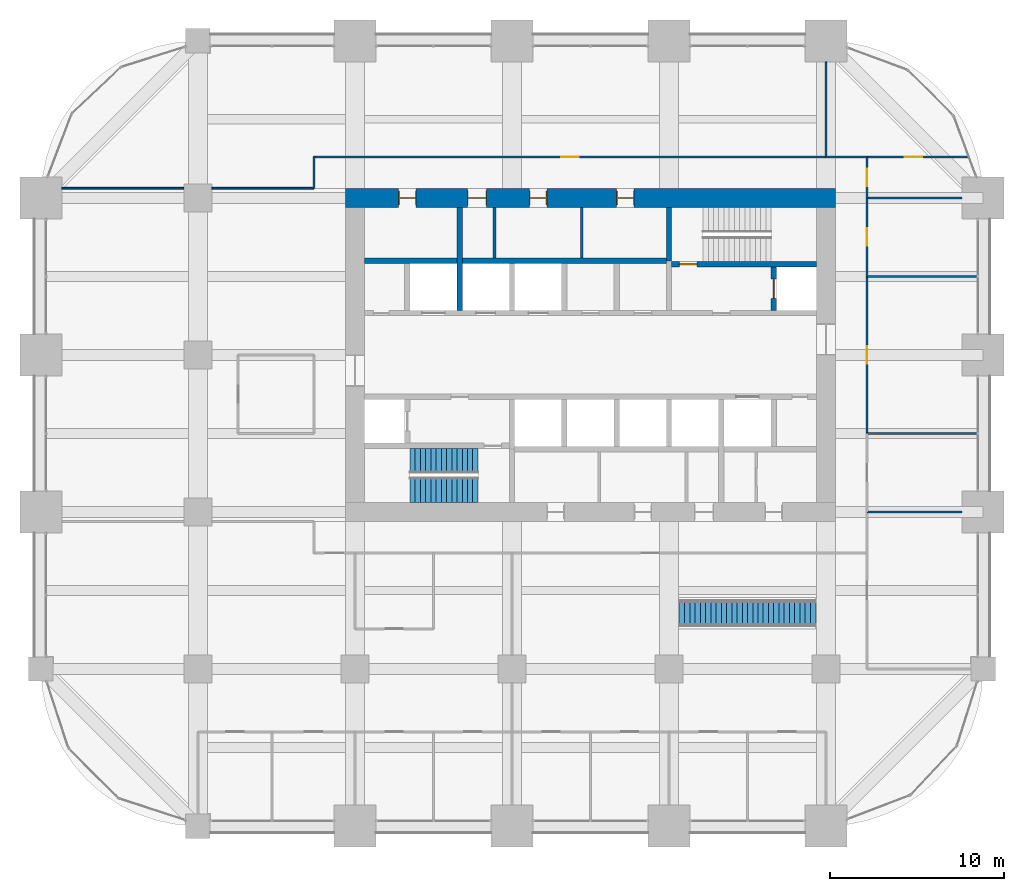
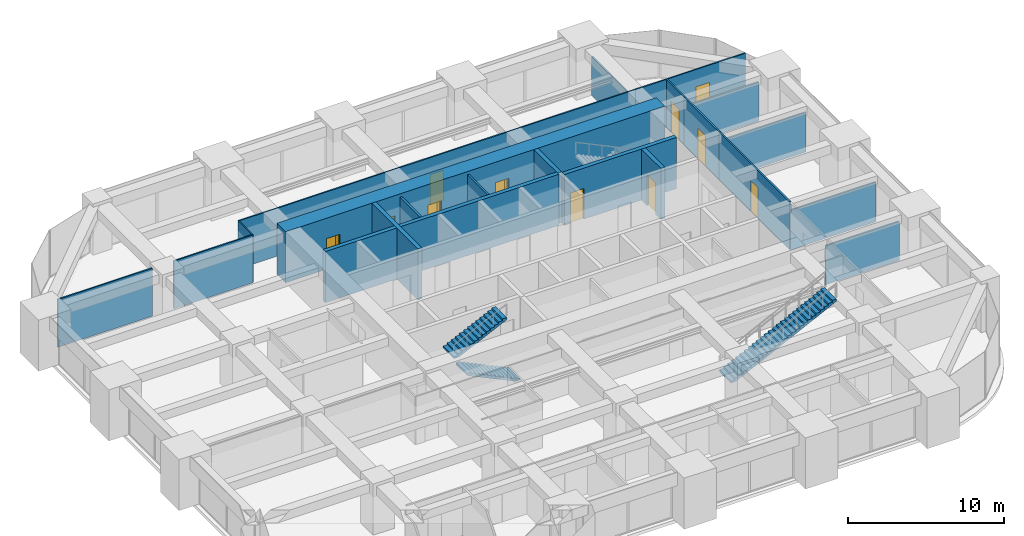
# One storey, part 31 of 34: 22 walls, 11 doors, 3 stair flights, 11 openings, 2 elements without a shape of their own.
"""IFC4 building model written with IfcOpenShell, lengths in metres."""

from ifc_helpers import new_model, si_unit, direction, frame, frame_2d, origin, place, context, subcontext, project, spatial, polyline, rectangle, outline, extrude, material, layer, layer_set, constituent, constituent_set, type_object, element, fill, aggregate, save


model = new_model("IFC4")

# Units and contexts
model_context = context("Model", 3, precision=1e-05, world=origin(), true_north=direction((0.0, 1.0)))
body_context = subcontext(model_context, "Body", "Model", "MODEL_VIEW")
ifc_project = project(units=[si_unit("LENGTHUNIT", "METRE"), si_unit("AREAUNIT", "SQUARE_METRE"), si_unit("VOLUMEUNIT", "CUBIC_METRE"), si_unit("PLANEANGLEUNIT", "RADIAN"), si_unit("MASSUNIT", "GRAM", prefix="KILO")], contexts=[model_context])

# Site, building, storey
site_placement = place(None, origin())
site = spatial("IfcSite", under=ifc_project, at=site_placement, CompositionType="ELEMENT")
building_placement = place(site_placement, origin())
building = spatial("IfcBuilding", under=site, at=building_placement, Name="Zorevar Civic Tower", CompositionType="ELEMENT")
storey_placement = place(building_placement, frame((0.0, 0.0, 174.199951171875)))
storey = spatial("IfcBuildingStorey", under=building, at=storey_placement, Name="L42", CompositionType="ELEMENT", Elevation=174.199951171875)

# Wall, openings, doors
ifc_material_1 = material(Name="Concrete C50/60", Category="concrete")
ifc_layer_1 = layer(ifc_material_1, 1.10009765625)
ifc_layer_set_1 = layer_set([ifc_layer_1], Name="Core wall 1100")
wall_type_1 = type_object("IfcWallType", Name="Core wall 1100", PredefinedType="SHEAR", material=ifc_layer_set_1)
wall_1_placement = place(storey_placement, frame((45.550048828125, 36.0, 0.0), z_axis=(0.0, 0.0, 1.0), x_axis=(-1.0, 0.0, 0.0)))
wall_1 = element("IfcWall", 1, at=wall_1_placement, inside=storey, type_object=wall_type_1, Name="Core wall N L42", PredefinedType="SHEAR", context=body_context, shape_type="SweptSolid", body=[
    extrude(rectangle(XDim=28.10009765625, YDim=1.10009765625, at=frame_2d((14.050048828125, 0.0))), origin(), (0.0, 0.0, 1.0), 4.0),
])
opening_1_placement = place(wall_1_placement, frame((11.550048828125, 0.0, 0.0)))
opening_1 = element("IfcOpeningElement", 2, at=opening_1_placement, cuts=wall_1, Name="Opening L42.07", PredefinedType="OPENING", context=body_context, shape_type="SweptSolid", body=[
    extrude(rectangle(XDim=1.0, YDim=2.39990234375, at=frame_2d((0.5, 1.199951171875))), frame((0.0, 0.56005859375, 0.0), z_axis=(0.0, -1.0, 0.0), x_axis=(1.0, 0.0, 0.0)), (0.0, 0.0, 1.0), 1.1201171875),
])
opening_2_placement = place(wall_1_placement, frame((16.550048828125, 0.0, 0.0)))
opening_2 = element("IfcOpeningElement", 3, at=opening_2_placement, cuts=wall_1, Name="Opening L42.08", PredefinedType="OPENING", context=body_context, shape_type="SweptSolid", body=[
    extrude(rectangle(XDim=1.0, YDim=2.39990234375, at=frame_2d((0.5, 1.199951171875))), frame((0.0, 0.56005859375, 0.0), z_axis=(0.0, -1.0, 0.0), x_axis=(1.0, 0.0, 0.0)), (0.0, 0.0, 1.0), 1.1201171875),
])
opening_3_placement = place(wall_1_placement, frame((20.0, 0.0, 0.0)))
opening_3 = element("IfcOpeningElement", 4, at=opening_3_placement, cuts=wall_1, Name="Opening L42.09", PredefinedType="OPENING", context=body_context, shape_type="SweptSolid", body=[
    extrude(rectangle(XDim=1.10009765625, YDim=2.39990234375, at=frame_2d((0.550048828125, 1.199951171875))), frame((0.0, 0.56005859375, 0.0), z_axis=(0.0, -1.0, 0.0), x_axis=(1.0, 0.0, 0.0)), (0.0, 0.0, 1.0), 1.1201171875),
])
opening_4_placement = place(wall_1_placement, frame((24.050048828125, 0.0, 0.0)))
opening_4 = element("IfcOpeningElement", 5, at=opening_4_placement, cuts=wall_1, Name="Opening L42.10", PredefinedType="OPENING", context=body_context, shape_type="SweptSolid", body=[
    extrude(rectangle(XDim=1.0, YDim=2.39990234375, at=frame_2d((0.5, 1.199951171875))), frame((0.0, 0.56005859375, 0.0), z_axis=(0.0, -1.0, 0.0), x_axis=(1.0, 0.0, 0.0)), (0.0, 0.0, 1.0), 1.1201171875),
])
ifc_material_2 = material(Name="Timber door set", Category="wood")
door_type_1 = type_object("IfcDoorType", Name="Door D1 1000x2400", OperationType="SINGLE_SWING_LEFT", PredefinedType="DOOR", material=ifc_material_2)
door_1_placement = place(opening_1_placement, origin())
door_1 = element("IfcDoor", 6, at=door_1_placement, inside=storey, type_object=door_type_1, Name="Door L42 06", OperationType="SINGLE_SWING_RIGHT", OverallHeight=2.39990234375, OverallWidth=1.0, PredefinedType="DOOR", context=body_context, shape_type="SweptSolid", body=[
    extrude(rectangle(XDim=1.0, YDim=2.39990234375, at=frame_2d((0.5, 1.199951171875))), frame((0.0, 0.02490234375, 0.0), z_axis=(0.0, -1.0, 0.0), x_axis=(1.0, 0.0, 0.0)), (0.0, 0.0, 1.0), 0.050048828125),
    extrude(rectangle(XDim=0.04, YDim=2.39990234375, at=frame_2d((0.02001953125, 1.199951171875))), frame((0.0, 0.39990234375, 0.0), z_axis=(0.0, -1.0, 0.0), x_axis=(1.0, 0.0, 0.0)), (0.0, 0.0, 1.0), 0.800048828125),
    extrude(rectangle(XDim=0.04, YDim=2.39990234375, at=frame_2d((0.97998046875, 1.199951171875))), frame((0.0, 0.39990234375, 0.0), z_axis=(0.0, -1.0, 0.0), x_axis=(1.0, 0.0, 0.0)), (0.0, 0.0, 1.0), 0.800048828125),
    extrude(rectangle(XDim=1.0, YDim=0.04, at=frame_2d((0.5, 2.3798828125))), frame((0.0, 0.39990234375, 0.0), z_axis=(0.0, -1.0, 0.0), x_axis=(1.0, 0.0, 0.0)), (0.0, 0.0, 1.0), 0.800048828125),
])
fill(opening_1, door_1)
door_2_placement = place(opening_2_placement, origin())
door_2 = element("IfcDoor", 7, at=door_2_placement, inside=storey, type_object=door_type_1, Name="Door L42 07", OperationType="SINGLE_SWING_LEFT", OverallHeight=2.39990234375, OverallWidth=1.0, PredefinedType="DOOR", context=body_context, shape_type="SweptSolid", body=[
    extrude(rectangle(XDim=1.0, YDim=2.39990234375, at=frame_2d((0.5, 1.199951171875))), frame((0.0, 0.02490234375, 0.0), z_axis=(0.0, -1.0, 0.0), x_axis=(1.0, 0.0, 0.0)), (0.0, 0.0, 1.0), 0.050048828125),
    extrude(rectangle(XDim=0.04, YDim=2.39990234375, at=frame_2d((0.02001953125, 1.199951171875))), frame((0.0, 0.39990234375, 0.0), z_axis=(0.0, -1.0, 0.0), x_axis=(1.0, 0.0, 0.0)), (0.0, 0.0, 1.0), 0.800048828125),
    extrude(rectangle(XDim=0.04, YDim=2.39990234375, at=frame_2d((0.97998046875, 1.199951171875))), frame((0.0, 0.39990234375, 0.0), z_axis=(0.0, -1.0, 0.0), x_axis=(1.0, 0.0, 0.0)), (0.0, 0.0, 1.0), 0.800048828125),
    extrude(rectangle(XDim=1.0, YDim=0.04, at=frame_2d((0.5, 2.3798828125))), frame((0.0, 0.39990234375, 0.0), z_axis=(0.0, -1.0, 0.0), x_axis=(1.0, 0.0, 0.0)), (0.0, 0.0, 1.0), 0.800048828125),
])
fill(opening_2, door_2)
door_3_placement = place(opening_4_placement, origin())
door_3 = element("IfcDoor", 8, at=door_3_placement, inside=storey, type_object=door_type_1, Name="Door L42 09", OperationType="SINGLE_SWING_LEFT", OverallHeight=2.39990234375, OverallWidth=1.0, PredefinedType="DOOR", context=body_context, shape_type="SweptSolid", body=[
    extrude(rectangle(XDim=1.0, YDim=2.39990234375, at=frame_2d((0.5, 1.199951171875))), frame((0.0, 0.02490234375, 0.0), z_axis=(0.0, -1.0, 0.0), x_axis=(1.0, 0.0, 0.0)), (0.0, 0.0, 1.0), 0.050048828125),
    extrude(rectangle(XDim=0.04, YDim=2.39990234375, at=frame_2d((0.02001953125, 1.199951171875))), frame((0.0, 0.39990234375, 0.0), z_axis=(0.0, -1.0, 0.0), x_axis=(1.0, 0.0, 0.0)), (0.0, 0.0, 1.0), 0.800048828125),
    extrude(rectangle(XDim=0.04, YDim=2.39990234375, at=frame_2d((0.97998046875, 1.199951171875))), frame((0.0, 0.39990234375, 0.0), z_axis=(0.0, -1.0, 0.0), x_axis=(1.0, 0.0, 0.0)), (0.0, 0.0, 1.0), 0.800048828125),
    extrude(rectangle(XDim=1.0, YDim=0.04, at=frame_2d((0.5, 2.3798828125))), frame((0.0, 0.39990234375, 0.0), z_axis=(0.0, -1.0, 0.0), x_axis=(1.0, 0.0, 0.0)), (0.0, 0.0, 1.0), 0.800048828125),
])
fill(opening_4, door_3)
ifc_material_3 = material(Name="Timber door set", Category="wood")
door_type_2 = type_object("IfcDoorType", Name="Door D5 1100x2400", OperationType="SINGLE_SWING_LEFT", PredefinedType="DOOR", material=ifc_material_3)
door_4_placement = place(opening_3_placement, origin())
door_4 = element("IfcDoor", 9, at=door_4_placement, inside=storey, type_object=door_type_2, Name="Door L42 08", OperationType="SINGLE_SWING_LEFT", OverallHeight=2.39990234375, OverallWidth=1.10009765625, PredefinedType="DOOR", context=body_context, shape_type="SweptSolid", body=[
    extrude(rectangle(XDim=1.10009765625, YDim=2.39990234375, at=frame_2d((0.550048828125, 1.199951171875))), frame((0.0, 0.02490234375, 0.0), z_axis=(0.0, -1.0, 0.0), x_axis=(1.0, 0.0, 0.0)), (0.0, 0.0, 1.0), 0.050048828125),
    extrude(rectangle(XDim=0.04, YDim=2.39990234375, at=frame_2d((0.02001953125, 1.199951171875))), frame((0.0, 0.43994140625, 0.0), z_axis=(0.0, -1.0, 0.0), x_axis=(1.0, 0.0, 0.0)), (0.0, 0.0, 1.0), 0.880126953125),
    extrude(rectangle(XDim=0.04, YDim=2.39990234375, at=frame_2d((1.080078125, 1.199951171875))), frame((0.0, 0.43994140625, 0.0), z_axis=(0.0, -1.0, 0.0), x_axis=(1.0, 0.0, 0.0)), (0.0, 0.0, 1.0), 0.880126953125),
    extrude(rectangle(XDim=1.10009765625, YDim=0.04, at=frame_2d((0.550048828125, 2.3798828125))), frame((0.0, 0.43994140625, 0.0), z_axis=(0.0, -1.0, 0.0), x_axis=(1.0, 0.0, 0.0)), (0.0, 0.0, 1.0), 0.880126953125),
])
fill(opening_3, door_4)

# Walls
ifc_material_4 = material(Name="Laminated glass in black aluminium frame", Category="aluminium")
ifc_layer_2 = layer(ifc_material_4, 0.10009765625)
ifc_layer_set_2 = layer_set([ifc_layer_2], Name="Glazed partition 100")
wall_type_2 = type_object("IfcWallType", Name="Glazed partition 100", PredefinedType="PARTITIONING", material=ifc_layer_set_2)
wall_2_placement = place(storey_placement, frame((1.199951171875, 36.550048828125, 0.0), z_axis=(0.0, 0.0, 1.0), x_axis=(1.0, 0.0, 0.0)))
element("IfcWall", 10, at=wall_2_placement, inside=storey, type_object=wall_type_2, Name="Glazed partition 100 L42", PredefinedType="PARTITIONING", context=body_context, shape_type="SweptSolid", body=[
    extrude(rectangle(XDim=7.0, YDim=0.10009765625, at=frame_2d((3.5, 0.0))), origin(), (0.0, 0.0, 1.0), 3.75),
])
wall_3_placement = place(storey_placement, frame((9.800048828125, 36.550048828125, 0.0), z_axis=(0.0, 0.0, 1.0), x_axis=(1.0, 0.0, 0.0)))
element("IfcWall", 11, at=wall_3_placement, inside=storey, type_object=wall_type_2, Name="Glazed partition 100 L42", PredefinedType="PARTITIONING", context=body_context, shape_type="SweptSolid", body=[
    extrude(rectangle(XDim=5.849853515625, YDim=0.10009765625, at=frame_2d((2.9248046875, 0.0))), origin(), (0.0, 0.0, 1.0), 3.75),
])

# Wall, opening, door
wall_4_placement = place(storey_placement, frame((15.64990234375, 38.35009765625, 0.0), z_axis=(0.0, 0.0, 1.0), x_axis=(1.0, 0.0, 0.0)))
wall_4 = element("IfcWall", 12, at=wall_4_placement, inside=storey, type_object=wall_type_2, Name="Glazed partition 100 L42", PredefinedType="PARTITIONING", context=body_context, shape_type="SweptSolid", body=[
    extrude(rectangle(XDim=29.35009765625, YDim=0.10009765625, at=frame_2d((14.675048828125, 0.0))), origin(), (0.0, 0.0, 1.0), 3.75),
])
opening_5_placement = place(wall_4_placement, frame((14.175048828125, 0.0, 0.0)))
opening_5 = element("IfcOpeningElement", 13, at=opening_5_placement, cuts=wall_4, Name="Opening L42.28", PredefinedType="OPENING", context=body_context, shape_type="SweptSolid", body=[
    extrude(rectangle(XDim=1.0, YDim=2.39990234375, at=frame_2d((0.5, 1.199951171875))), frame((0.0, 0.06005859375, 0.0), z_axis=(0.0, -1.0, 0.0), x_axis=(1.0, 0.0, 0.0)), (0.0, 0.0, 1.0), 0.1201171875),
])
ifc_material_5 = material(Name="Timber door set", Category="wood")
door_type_3 = type_object("IfcDoorType", Name="Glazed door GD1 1000x2400", OperationType="SINGLE_SWING_LEFT", PredefinedType="DOOR", material=ifc_material_5)
door_5_placement = place(opening_5_placement, origin())
door_5 = element("IfcDoor", 14, at=door_5_placement, inside=storey, type_object=door_type_3, Name="Door L42 D1", OperationType="SINGLE_SWING_LEFT", OverallHeight=2.39990234375, OverallWidth=1.0, PredefinedType="DOOR", context=body_context, shape_type="SweptSolid", body=[
    extrude(rectangle(XDim=1.0, YDim=2.39990234375, at=frame_2d((0.5, 1.199951171875))), frame((0.0, 0.02001953125, 0.0), z_axis=(0.0, -1.0, 0.0), x_axis=(1.0, 0.0, 0.0)), (0.0, 0.0, 1.0), 0.0400390625),
])
fill(opening_5, door_5)

# Wall
wall_5_placement = place(storey_placement, frame((45.0, 38.35009765625, 0.0), z_axis=(0.0, 0.0, 1.0), x_axis=(1.0, 0.0, 0.0)))
element("IfcWall", 15, at=wall_5_placement, inside=storey, type_object=wall_type_2, Name="Glazed partition 100 L42", PredefinedType="PARTITIONING", context=body_context, shape_type="SweptSolid", body=[
    extrude(rectangle(XDim=2.35009765625, YDim=0.10009765625, at=frame_2d((1.175048828125, 0.0))), origin(), (0.0, 0.0, 1.0), 3.75),
])

# Wall, opening, door
wall_6_placement = place(storey_placement, frame((47.35009765625, 38.35009765625, 0.0), z_axis=(0.0, 0.0, 1.0), x_axis=(1.0, 0.0, 0.0)))
wall_6 = element("IfcWall", 16, at=wall_6_placement, inside=storey, type_object=wall_type_2, Name="Glazed partition 100 L42", PredefinedType="PARTITIONING", context=body_context, shape_type="SweptSolid", body=[
    extrude(rectangle(XDim=5.80615234375, YDim=0.10009765625, at=frame_2d((2.903076171875, 0.0))), origin(), (0.0, 0.0, 1.0), 3.75),
])
opening_6_placement = place(wall_6_placement, frame((2.14990234375, 0.0, 0.0)))
opening_6 = element("IfcOpeningElement", 17, at=opening_6_placement, cuts=wall_6, Name="Opening L42.29", PredefinedType="OPENING", context=body_context, shape_type="SweptSolid", body=[
    extrude(rectangle(XDim=1.0, YDim=2.39990234375, at=frame_2d((0.5, 1.199951171875))), frame((0.0, 0.06005859375, 0.0), z_axis=(0.0, -1.0, 0.0), x_axis=(1.0, 0.0, 0.0)), (0.0, 0.0, 1.0), 0.1201171875),
])
door_6_placement = place(opening_6_placement, origin())
door_6 = element("IfcDoor", 18, at=door_6_placement, inside=storey, type_object=door_type_3, Name="Door L42 D1", OperationType="SINGLE_SWING_RIGHT", OverallHeight=2.39990234375, OverallWidth=1.0, PredefinedType="DOOR", context=body_context, shape_type="SweptSolid", body=[
    extrude(rectangle(XDim=1.0, YDim=2.39990234375, at=frame_2d((0.5, 1.199951171875))), frame((0.0, 0.02001953125, 0.0), z_axis=(0.0, -1.0, 0.0), x_axis=(1.0, 0.0, 0.0)), (0.0, 0.0, 1.0), 0.0400390625),
])
fill(opening_6, door_6)

# Walls
wall_7_placement = place(storey_placement, frame((15.64990234375, 36.550048828125, 0.0), z_axis=(0.0, 0.0, 1.0), x_axis=(0.0, 1.0, 0.0)))
element("IfcWall", 19, at=wall_7_placement, inside=storey, type_object=wall_type_2, Name="Glazed partition 100 L42", PredefinedType="PARTITIONING", context=body_context, shape_type="SweptSolid", body=[
    extrude(rectangle(XDim=1.800048828125, YDim=0.10009765625, at=frame_2d((0.89990234375, 0.0))), origin(), (0.0, 0.0, 1.0), 3.75),
])
wall_8_placement = place(storey_placement, frame((45.0, 38.35009765625, 0.0), z_axis=(0.0, 0.0, 1.0), x_axis=(0.0, 1.0, 0.0)))
element("IfcWall", 20, at=wall_8_placement, inside=storey, type_object=wall_type_2, Name="Glazed partition 100 L42", PredefinedType="PARTITIONING", context=body_context, shape_type="SweptSolid", body=[
    extrude(rectangle(XDim=5.449951171875, YDim=0.10009765625, at=frame_2d((2.72509765625, 0.0))), origin(), (0.0, 0.0, 1.0), 3.050048828125),
])

# Wall, opening, door
wall_9_placement = place(storey_placement, frame((47.35009765625, 36.0, 0.0), z_axis=(0.0, 0.0, 1.0), x_axis=(0.0, 1.0, 0.0)))
wall_9 = element("IfcWall", 21, at=wall_9_placement, inside=storey, type_object=wall_type_2, Name="Glazed partition 100 L42", PredefinedType="PARTITIONING", context=body_context, shape_type="SweptSolid", body=[
    extrude(rectangle(XDim=2.35009765625, YDim=0.10009765625, at=frame_2d((1.175048828125, 0.0))), origin(), (0.0, 0.0, 1.0), 3.75),
])
opening_7_placement = place(wall_9_placement, frame((0.675048828125, 0.0, 0.0)))
opening_7 = element("IfcOpeningElement", 22, at=opening_7_placement, cuts=wall_9, Name="Opening L42.35", PredefinedType="OPENING", context=body_context, shape_type="SweptSolid", body=[
    extrude(rectangle(XDim=1.0, YDim=2.39990234375, at=frame_2d((0.5, 1.199951171875))), frame((0.0, 0.06005859375, 0.0), z_axis=(0.0, -1.0, 0.0), x_axis=(1.0, 0.0, 0.0)), (0.0, 0.0, 1.0), 0.1201171875),
])
door_7_placement = place(opening_7_placement, origin())
door_7 = element("IfcDoor", 23, at=door_7_placement, inside=storey, type_object=door_type_3, Name="Door L42 D1", OperationType="SINGLE_SWING_RIGHT", OverallHeight=2.39990234375, OverallWidth=1.0, PredefinedType="DOOR", context=body_context, shape_type="SweptSolid", body=[
    extrude(rectangle(XDim=1.0, YDim=2.39990234375, at=frame_2d((0.5, 1.199951171875))), frame((0.0, 0.02001953125, 0.0), z_axis=(0.0, -1.0, 0.0), x_axis=(1.0, 0.0, 0.0)), (0.0, 0.0, 1.0), 0.0400390625),
])
fill(opening_7, door_7)

ifc_material_6 = material(Name="Concrete C40/50", Category="concrete")
ifc_layer_3 = layer(ifc_material_6, 0.300048828125)
ifc_layer_set_3 = layer_set([ifc_layer_3], Name="Inner core wall 300")
wall_type_3 = type_object("IfcWallType", Name="Inner core wall 300", PredefinedType="SHEAR", material=ifc_layer_set_3)
wall_10_placement = place(storey_placement, frame((36.14990234375, 32.199951171875, 0.0), z_axis=(0.0, 0.0, 1.0), x_axis=(1.0, 0.0, 0.0)))
wall_10 = element("IfcWall", 24, at=wall_10_placement, inside=storey, type_object=wall_type_3, Name="Inner core wall N00 L42", PredefinedType="SHEAR", context=body_context, shape_type="SweptSolid", body=[
    extrude(rectangle(XDim=8.300048828125, YDim=0.300048828125, at=frame_2d((4.14990234375, 0.0))), origin(), (0.0, 0.0, 1.0), 4.0),
])
opening_8_placement = place(wall_10_placement, frame((0.449951171875, 0.0, 0.0)))
opening_8 = element("IfcOpeningElement", 25, at=opening_8_placement, cuts=wall_10, Name="Opening L42.12", PredefinedType="OPENING", context=body_context, shape_type="SweptSolid", body=[
    extrude(rectangle(XDim=1.0, YDim=2.39990234375, at=frame_2d((0.5, 1.199951171875))), frame((0.0, 0.159912109375, 0.0), z_axis=(0.0, -1.0, 0.0), x_axis=(1.0, 0.0, 0.0)), (0.0, 0.0, 1.0), 0.320068359375),
])
ifc_material_7 = material(Name="Steel door set", Category="steel")
door_type_4 = type_object("IfcDoorType", Name="Fire door FD1 1000x2400", OperationType="SINGLE_SWING_LEFT", PredefinedType="DOOR", material=ifc_material_7)
door_8_placement = place(opening_8_placement, origin())
door_8 = element("IfcDoor", 26, at=door_8_placement, inside=storey, type_object=door_type_4, Name="Door L42 11", OperationType="SINGLE_SWING_RIGHT", OverallHeight=2.39990234375, OverallWidth=1.0, PredefinedType="DOOR", context=body_context, shape_type="SweptSolid", body=[
    extrude(rectangle(XDim=1.0, YDim=2.39990234375, at=frame_2d((0.5, 1.199951171875))), frame((0.0, 0.030029296875, 0.0), z_axis=(0.0, -1.0, 0.0), x_axis=(1.0, 0.0, 0.0)), (0.0, 0.0, 1.0), 0.06005859375),
])
fill(opening_8, door_8)

# Wall
wall_11_placement = place(storey_placement, frame((36.0, 32.39990234375, 0.0), z_axis=(0.0, 0.0, 1.0), x_axis=(0.0, 1.0, 0.0)))
element("IfcWall", 27, at=wall_11_placement, inside=storey, type_object=wall_type_3, Name="Inner core wall N01 L42", PredefinedType="SHEAR", context=body_context, shape_type="SweptSolid", body=[
    extrude(rectangle(XDim=3.050048828125, YDim=0.300048828125, at=frame_2d((1.52490234375, 0.0))), origin(), (0.0, 0.0, 1.0), 4.0),
])

# Wall, opening, door
wall_12_placement = place(storey_placement, frame((42.0, 29.550048828125, 0.0), z_axis=(0.0, 0.0, 1.0), x_axis=(0.0, 1.0, 0.0)))
wall_12 = element("IfcWall", 28, at=wall_12_placement, inside=storey, type_object=wall_type_3, Name="Inner core wall N02 L42", PredefinedType="SHEAR", context=body_context, shape_type="SweptSolid", body=[
    extrude(rectangle(XDim=2.5, YDim=0.300048828125, at=frame_2d((1.25, 0.0))), origin(), (0.0, 0.0, 1.0), 4.0),
])
opening_9_placement = place(wall_12_placement, frame((0.699951171875, 0.0, 0.0)))
opening_9 = element("IfcOpeningElement", 29, at=opening_9_placement, cuts=wall_12, Name="Opening L42.FL2", PredefinedType="OPENING", context=body_context, shape_type="SweptSolid", body=[
    extrude(rectangle(XDim=1.10009765625, YDim=2.39990234375, at=frame_2d((0.550048828125, 1.199951171875))), frame((0.0, 0.159912109375, 0.0), z_axis=(0.0, -1.0, 0.0), x_axis=(1.0, 0.0, 0.0)), (0.0, 0.0, 1.0), 0.320068359375),
])
ifc_material_8 = material(Name="Steel door set", Category="steel")
door_type_5 = type_object("IfcDoorType", Name="Firefighting lift landing door LD3 1100x2400", OperationType="DOUBLE_DOOR_SLIDING", PredefinedType="DOOR", material=ifc_material_8)
door_9_placement = place(opening_9_placement, origin())
door_9 = element("IfcDoor", 30, at=door_9_placement, inside=storey, type_object=door_type_5, Name="Landing door FL2 L42", OperationType="DOUBLE_DOOR_SLIDING", OverallHeight=2.39990234375, OverallWidth=1.10009765625, PredefinedType="DOOR", context=body_context, shape_type="SweptSolid", body=[
    extrude(rectangle(XDim=1.10009765625, YDim=2.39990234375, at=frame_2d((0.550048828125, 1.199951171875))), frame((0.0, 0.030029296875, 0.0), z_axis=(0.0, -1.0, 0.0), x_axis=(1.0, 0.0, 0.0)), (0.0, 0.0, 1.0), 0.06005859375),
])
fill(opening_9, door_9)

# Walls
wall_13_placement = place(storey_placement, frame((18.550048828125, 32.39990234375, 0.0), z_axis=(0.0, 0.0, 1.0), x_axis=(1.0, 0.0, 0.0)))
element("IfcWall", 31, at=wall_13_placement, inside=storey, type_object=wall_type_3, Name="Inner core wall N04 L42", PredefinedType="SHEAR", context=body_context, shape_type="SweptSolid", body=[
    extrude(rectangle(XDim=17.300048828125, YDim=0.300048828125, at=frame_2d((8.64990234375, 0.0))), origin(), (0.0, 0.0, 1.0), 4.0),
])
wall_14_placement = place(storey_placement, frame((24.0, 29.550048828125, 0.0), z_axis=(0.0, 0.0, 1.0), x_axis=(0.0, 1.0, 0.0)))
element("IfcWall", 32, at=wall_14_placement, inside=storey, type_object=wall_type_3, Name="Inner core wall N08 L42", PredefinedType="SHEAR", context=body_context, shape_type="SweptSolid", body=[
    extrude(rectangle(XDim=5.89990234375, YDim=0.300048828125, at=frame_2d((2.949951171875, 0.0))), origin(), (0.0, 0.0, 1.0), 4.0),
])
ifc_material_9 = material(Name="Gypsum board on steel studs", Category="steel")
ifc_layer_4 = layer(ifc_material_9, 0.1201171875)
ifc_layer_set_4 = layer_set([ifc_layer_4], Name="Partition 120")
wall_type_4 = type_object("IfcWallType", Name="Partition 120", PredefinedType="PARTITIONING", material=ifc_layer_set_4)
wall_15_placement = place(storey_placement, frame((47.35009765625, 18.0, 0.0), z_axis=(0.0, 0.0, 1.0), x_axis=(1.0, 0.0, 0.0)))
element("IfcWall", 33, at=wall_15_placement, inside=storey, type_object=wall_type_4, Name="Partition 120 L42", PredefinedType="PARTITIONING", context=body_context, shape_type="SweptSolid", body=[
    extrude(rectangle(XDim=5.449951171875, YDim=0.1201171875, at=frame_2d((2.72509765625, 0.0))), origin(), (0.0, 0.0, 1.0), 3.050048828125),
])
for number, where, z_axis, x_axis, name in (
    (34, (47.35009765625, 22.5, 0.0), (0.0, 0.0, 1.0), (1.0, 0.0, 0.0), "Partition 120 L42"),
    (35, (47.35009765625, 31.5, 0.0), (0.0, 0.0, 1.0), (1.0, 0.0, 0.0), "Partition 120 L42"),
):
    element("IfcWall", number, at=place(storey_placement, frame(where, z_axis=z_axis, x_axis=x_axis)), inside=storey, type_object=wall_type_4, Name=name, PredefinedType="PARTITIONING", context=body_context, shape_type="SweptSolid", body=[
        extrude(rectangle(XDim=6.33984375, YDim=0.1201171875, at=frame_2d((3.169921875, 0.0))), origin(), (0.0, 0.0, 1.0), 3.10009765625),
    ])
wall_16_placement = place(storey_placement, frame((47.35009765625, 36.0, 0.0), z_axis=(0.0, 0.0, 1.0), x_axis=(1.0, 0.0, 0.0)))
element("IfcWall", 36, at=wall_16_placement, inside=storey, type_object=wall_type_4, Name="Partition 120 L42", PredefinedType="PARTITIONING", context=body_context, shape_type="SweptSolid", body=[
    extrude(rectangle(XDim=5.449951171875, YDim=0.1201171875, at=frame_2d((2.72509765625, 0.0))), origin(), (0.0, 0.0, 1.0), 3.050048828125),
])

# Wall, opening, door
wall_17_placement = place(storey_placement, frame((47.35009765625, 22.5, 0.0), z_axis=(0.0, 0.0, 1.0), x_axis=(0.0, 1.0, 0.0)))
wall_17 = element("IfcWall", 37, at=wall_17_placement, inside=storey, type_object=wall_type_4, Name="Partition 120 L42", PredefinedType="PARTITIONING", context=body_context, shape_type="SweptSolid", body=[
    extrude(rectangle(XDim=9.0, YDim=0.1201171875, at=frame_2d((4.5, 0.0))), origin(), (0.0, 0.0, 1.0), 3.75),
])
opening_10_placement = place(wall_17_placement, frame((4.0, 0.0, 0.0)))
opening_10 = element("IfcOpeningElement", 38, at=opening_10_placement, cuts=wall_17, Name="Opening L42.33", PredefinedType="OPENING", context=body_context, shape_type="SweptSolid", body=[
    extrude(rectangle(XDim=1.0, YDim=2.39990234375, at=frame_2d((0.5, 1.199951171875))), frame((0.0, 0.070068359375, 0.0), z_axis=(0.0, -1.0, 0.0), x_axis=(1.0, 0.0, 0.0)), (0.0, 0.0, 1.0), 0.14013671875),
])
door_10_placement = place(opening_10_placement, origin())
door_10 = element("IfcDoor", 39, at=door_10_placement, inside=storey, type_object=door_type_1, Name="Door L42 D1", OperationType="SINGLE_SWING_RIGHT", OverallHeight=2.39990234375, OverallWidth=1.0, PredefinedType="DOOR", context=body_context, shape_type="SweptSolid", body=[
    extrude(rectangle(XDim=1.0, YDim=2.39990234375, at=frame_2d((0.5, 1.199951171875))), frame((0.0, 0.02490234375, 0.0), z_axis=(0.0, -1.0, 0.0), x_axis=(1.0, 0.0, 0.0)), (0.0, 0.0, 1.0), 0.050048828125),
])
fill(opening_10, door_10)

wall_18_placement = place(storey_placement, frame((47.35009765625, 31.5, 0.0), z_axis=(0.0, 0.0, 1.0), x_axis=(0.0, 1.0, 0.0)))
wall_18 = element("IfcWall", 40, at=wall_18_placement, inside=storey, type_object=wall_type_4, Name="Partition 120 L42", PredefinedType="PARTITIONING", context=body_context, shape_type="SweptSolid", body=[
    extrude(rectangle(XDim=4.5, YDim=0.1201171875, at=frame_2d((2.25, 0.0))), origin(), (0.0, 0.0, 1.0), 3.75),
])
opening_11_placement = place(wall_18_placement, frame((1.75, 0.0, 0.0)))
opening_11 = element("IfcOpeningElement", 41, at=opening_11_placement, cuts=wall_18, Name="Opening L42.34", PredefinedType="OPENING", context=body_context, shape_type="SweptSolid", body=[
    extrude(rectangle(XDim=1.0, YDim=2.39990234375, at=frame_2d((0.5, 1.199951171875))), frame((0.0, 0.070068359375, 0.0), z_axis=(0.0, -1.0, 0.0), x_axis=(1.0, 0.0, 0.0)), (0.0, 0.0, 1.0), 0.14013671875),
])
door_11_placement = place(opening_11_placement, origin())
door_11 = element("IfcDoor", 42, at=door_11_placement, inside=storey, type_object=door_type_1, Name="Door L42 D1", OperationType="SINGLE_SWING_LEFT", OverallHeight=2.39990234375, OverallWidth=1.0, PredefinedType="DOOR", context=body_context, shape_type="SweptSolid", body=[
    extrude(rectangle(XDim=1.0, YDim=2.39990234375, at=frame_2d((0.5, 1.199951171875))), frame((0.0, 0.02490234375, 0.0), z_axis=(0.0, -1.0, 0.0), x_axis=(1.0, 0.0, 0.0)), (0.0, 0.0, 1.0), 0.050048828125),
])
fill(opening_11, door_11)

# Walls
ifc_material_10 = material(Name="Gypsum board on steel studs, moisture resistant", Category="steel")
ifc_layer_5 = layer(ifc_material_10, 0.14990234375)
ifc_layer_set_5 = layer_set([ifc_layer_5], Name="WC partition 150")
wall_type_5 = type_object("IfcWallType", Name="WC partition 150", PredefinedType="PARTITIONING", material=ifc_layer_set_5)
for number, where, z_axis, x_axis, name in (
    (43, (31.0, 32.550048828125, 0.0), (0.0, 0.0, 1.0), (0.0, 1.0, 0.0), "WC partition L42"),
    (44, (26.0, 32.550048828125, 0.0), (0.0, 0.0, 1.0), (0.0, 1.0, 0.0), "WC partition L42"),
):
    element("IfcWall", number, at=place(storey_placement, frame(where, z_axis=z_axis, x_axis=x_axis)), inside=storey, type_object=wall_type_5, Name=name, PredefinedType="PARTITIONING", context=body_context, shape_type="SweptSolid", body=[
        extrude(rectangle(XDim=2.89990234375, YDim=0.14990234375, at=frame_2d((1.449951171875, 0.0))), origin(), (0.0, 0.0, 1.0), 3.75),
    ])

# Stair, stair flight
ifc_material_11 = material(Name="Steel S355", Category="steel")
ifc_constituent_1 = constituent(ifc_material_11, Name="Structure")
ifc_material_12 = material(Name="Stone treads", Category="masonry")
ifc_constituent_2 = constituent(ifc_material_12, Name="Finish")
ifc_constituent_set_1 = constituent_set(constituents=[ifc_constituent_1, ifc_constituent_2], Name="Steel S355")
stair_type_1 = type_object("IfcStairType", Name="Interconnecting stair IS1", PredefinedType="STRAIGHT_RUN_STAIR", material=ifc_constituent_set_1)
stair_1_placement = place(storey_placement, origin())
stair_1 = element("IfcStair", 45, at=stair_1_placement, inside=storey, type_object=stair_type_1, Name="Interconnecting stair IS1 L42 to L43", PredefinedType="STRAIGHT_RUN_STAIR")
ifc_material_13 = material(Name="Steel S355", Category="steel")
ifc_constituent_3 = constituent(ifc_material_13, Name="Structure")
ifc_material_14 = material(Name="Stone treads", Category="masonry")
ifc_constituent_4 = constituent(ifc_material_14, Name="Finish")
ifc_constituent_set_2 = constituent_set(constituents=[ifc_constituent_3, ifc_constituent_4], Name="Steel S355")
stair_flight_type_1 = type_object("IfcStairFlightType", Name="Interconnecting stair flight", PredefinedType="STRAIGHT", material=ifc_constituent_set_2)
stair_flight_1_placement = place(storey_placement, frame((36.60009765625, 12.199951171875, 0.0), z_axis=(0.0, 0.0, 1.0), x_axis=(1.0, 0.0, 0.0)))
stair_flight_1 = element("IfcStairFlight", 46, at=stair_flight_1_placement, type_object=stair_flight_type_1, Name="IS1 flight 1", NumberOfRisers=27, NumberOfTreads=26, PredefinedType="STRAIGHT", RiserHeight=0.148148148, TreadLength=0.3, context=body_context, shape_type="SweptSolid", body=[
    extrude(outline(polyline([(0.0, 0.0), (0.0, 0.148193359375), (0.300048828125, 0.148193359375), (0.300048828125, 0.29638671875), (0.60009765625, 0.29638671875), (0.60009765625, 0.4443359375), (0.89990234375, 0.4443359375), (0.89990234375, 0.592529296875), (1.199951171875, 0.592529296875), (1.199951171875, 0.74072265625), (1.5, 0.74072265625), (1.5, 0.888916015625), (1.800048828125, 0.888916015625), (1.800048828125, 1.037109375), (2.10009765625, 1.037109375), (2.10009765625, 1.185302734375), (2.39990234375, 1.185302734375), (2.39990234375, 1.333251953125), (2.699951171875, 1.333251953125), (2.699951171875, 1.4814453125), (3.0, 1.4814453125), (3.0, 1.629638671875), (3.300048828125, 1.629638671875), (3.300048828125, 1.77783203125), (3.60009765625, 1.77783203125), (3.60009765625, 1.926025390625), (3.89990234375, 1.926025390625), (3.89990234375, 2.073974609375), (4.199951171875, 2.073974609375), (4.199951171875, 2.22216796875), (4.5, 2.22216796875), (4.5, 2.370361328125), (4.800048828125, 2.370361328125), (4.800048828125, 2.5185546875), (5.10009765625, 2.5185546875), (5.10009765625, 2.666748046875), (5.39990234375, 2.666748046875), (5.39990234375, 2.814697265625), (5.699951171875, 2.814697265625), (5.699951171875, 2.962890625), (6.0, 2.962890625), (6.0, 3.111083984375), (6.300048828125, 3.111083984375), (6.300048828125, 3.25927734375), (6.60009765625, 3.25927734375), (6.60009765625, 3.407470703125), (6.89990234375, 3.407470703125), (6.89990234375, 3.5556640625), (7.199951171875, 3.5556640625), (7.199951171875, 3.70361328125), (7.5, 3.70361328125), (7.5, 3.851806640625), (7.800048828125, 3.851806640625), (7.800048828125, 4.0), (7.800048828125, 3.6845703125), (0.338623046875, 0.0), (0.0, 0.0)])), frame((0.0, 0.75, 0.0), z_axis=(0.0, -1.0, 0.0), x_axis=(1.0, 0.0, 0.0)), (0.0, 0.0, 1.0), 1.5),
])
aggregate(stair_1, [stair_flight_1])

# Stair, stair flights
ifc_material_15 = material(Name="Precast concrete C40/50", Category="concrete")
stair_type_2 = type_object("IfcStairType", Name="Stair ST 28R", PredefinedType="HALF_TURN_STAIR", material=ifc_material_15)
stair_2_placement = place(storey_placement, origin())
stair_2 = element("IfcStair", 47, at=stair_2_placement, inside=storey, type_object=stair_type_2, Name="Stair ST1 L42", PredefinedType="HALF_TURN_STAIR")
ifc_material_16 = material(Name="Precast concrete C40/50", Category="concrete")
stair_flight_type_2 = type_object("IfcStairFlightType", Name="Stair flight", PredefinedType="STRAIGHT", material=ifc_material_16)
stair_flight_2_placement = place(storey_placement, frame((25.050048828125, 19.262451171875, 0.0), z_axis=(0.0, 0.0, 1.0), x_axis=(-1.0, 0.0, 0.0)))
stair_flight_2 = element("IfcStairFlight", 48, at=stair_flight_2_placement, type_object=stair_flight_type_2, Name="ST1 flight 1", NumberOfRisers=14, NumberOfTreads=13, PredefinedType="STRAIGHT", RiserHeight=0.142857143, TreadLength=0.3, context=body_context, shape_type="SweptSolid", body=[
    extrude(outline(polyline([(0.0, 0.0), (0.0, 0.142822265625), (0.300048828125, 0.142822265625), (0.300048828125, 0.28564453125), (0.60009765625, 0.28564453125), (0.60009765625, 0.428466796875), (0.89990234375, 0.428466796875), (0.89990234375, 0.571533203125), (1.199951171875, 0.571533203125), (1.199951171875, 0.71435546875), (1.5, 0.71435546875), (1.5, 0.857177734375), (1.800048828125, 0.857177734375), (1.800048828125, 1.0), (2.10009765625, 1.0), (2.10009765625, 1.142822265625), (2.39990234375, 1.142822265625), (2.39990234375, 1.28564453125), (2.699951171875, 1.28564453125), (2.699951171875, 1.428466796875), (3.0, 1.428466796875), (3.0, 1.571533203125), (3.300048828125, 1.571533203125), (3.300048828125, 1.71435546875), (3.60009765625, 1.71435546875), (3.60009765625, 1.857177734375), (3.89990234375, 1.857177734375), (3.89990234375, 2.0), (3.89990234375, 1.691162109375), (0.3486328125, 0.0), (0.0, 0.0)])), frame((0.0, 0.71240234375, 0.0), z_axis=(0.0, -1.0, 0.0), x_axis=(1.0, 0.0, 0.0)), (0.0, 0.0, 1.0), 1.425048828125),
])
stair_flight_3_placement = place(storey_placement, frame((21.14990234375, 20.9375, 2.0), z_axis=(0.0, 0.0, 1.0), x_axis=(1.0, 0.0, 0.0)))
stair_flight_3 = element("IfcStairFlight", 49, at=stair_flight_3_placement, type_object=stair_flight_type_2, Name="ST1 flight 2", NumberOfRisers=14, NumberOfTreads=13, PredefinedType="STRAIGHT", RiserHeight=0.142857143, TreadLength=0.3, context=body_context, shape_type="SweptSolid", body=[
    extrude(outline(polyline([(0.0, 0.0), (0.0, 0.142822265625), (0.300048828125, 0.142822265625), (0.300048828125, 0.28564453125), (0.60009765625, 0.28564453125), (0.60009765625, 0.428466796875), (0.89990234375, 0.428466796875), (0.89990234375, 0.571533203125), (1.199951171875, 0.571533203125), (1.199951171875, 0.71435546875), (1.5, 0.71435546875), (1.5, 0.857177734375), (1.800048828125, 0.857177734375), (1.800048828125, 1.0), (2.10009765625, 1.0), (2.10009765625, 1.142822265625), (2.39990234375, 1.142822265625), (2.39990234375, 1.28564453125), (2.699951171875, 1.28564453125), (2.699951171875, 1.428466796875), (3.0, 1.428466796875), (3.0, 1.571533203125), (3.300048828125, 1.571533203125), (3.300048828125, 1.71435546875), (3.60009765625, 1.71435546875), (3.60009765625, 1.857177734375), (3.89990234375, 1.857177734375), (3.89990234375, 2.0), (3.89990234375, 1.691162109375), (0.3486328125, 0.0), (0.0, 0.0)])), frame((0.0, 0.71240234375, 0.0), z_axis=(0.0, -1.0, 0.0), x_axis=(1.0, 0.0, 0.0)), (0.0, 0.0, 1.0), 1.425048828125),
])
aggregate(stair_2, [stair_flight_2, stair_flight_3])

save(model, "model.ifc")
